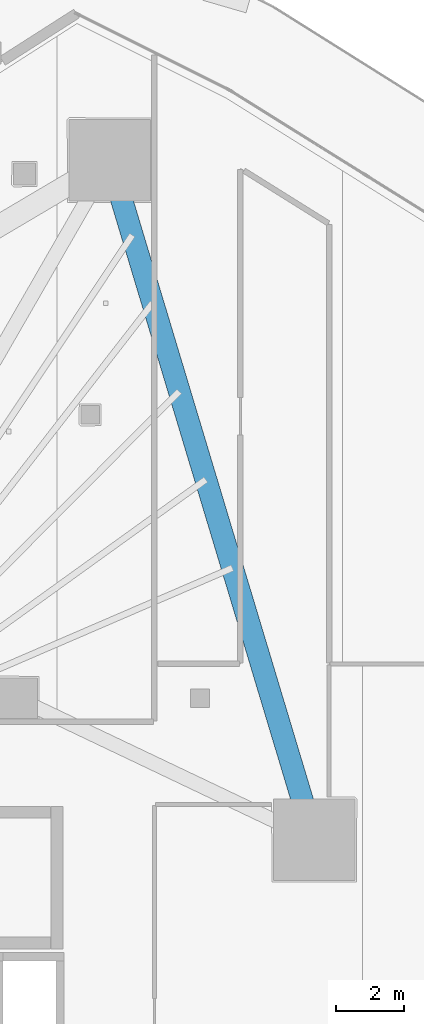
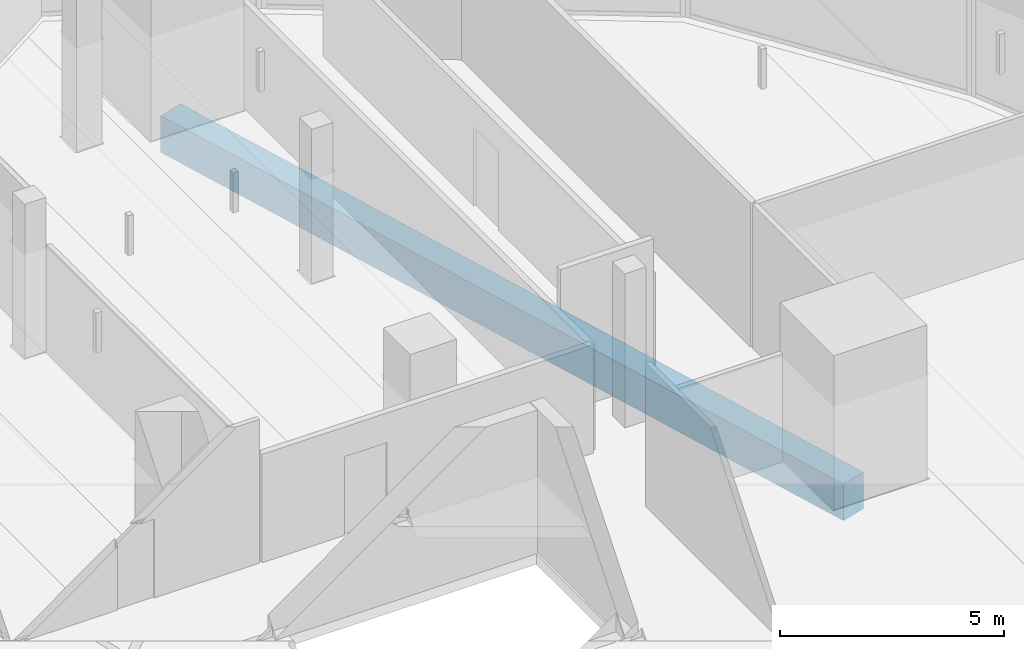
# One storey, part 23 of 45: 1 beam.
"""IFC4 building model written with IfcOpenShell, lengths in metres."""

from ifc_helpers import new_model, si_unit, direction, frame, origin, origin_2d, place, context, subcontext, project, spatial, rectangle, extrude, material, material_profile, profile_set, type_object, element, save


model = new_model("IFC4")

# Units and contexts
model_context = context("Model", 3, precision=1e-05, world=origin(), true_north=direction((0.0, 1.0)))
body_context = subcontext(model_context, "Body", "Model", "MODEL_VIEW")
ifc_project = project(units=[si_unit("LENGTHUNIT", "METRE"), si_unit("AREAUNIT", "SQUARE_METRE"), si_unit("VOLUMEUNIT", "CUBIC_METRE"), si_unit("PLANEANGLEUNIT", "RADIAN"), si_unit("MASSUNIT", "GRAM", prefix="KILO")], contexts=[model_context])

# Site, building, storey
site_placement = place(None, origin())
site = spatial("IfcSite", under=ifc_project, at=site_placement, CompositionType="ELEMENT")
building_placement = place(site_placement, origin())
building = spatial("IfcBuilding", under=site, at=building_placement, Name="Qorvath Tower", CompositionType="ELEMENT")
storey_placement = place(building_placement, frame((0.0, 0.0, 91.199951171875)))
storey = spatial("IfcBuildingStorey", under=building, at=storey_placement, Name="L20", CompositionType="ELEMENT", Elevation=91.199951171875)

# Beam
ifc_material = material(Name="Concrete C50/60", Category="concrete")
ifc_material_profile = material_profile(ifc_material, rectangle(XDim=0.64990234375, YDim=1.0, at=origin_2d()), Name="RCB 1000x650")
ifc_profile_set = profile_set([ifc_material_profile], Name="Concrete C50/60")
beam_type = type_object("IfcBeamType", Name="BM-RCB1", PredefinedType="SPANDREL", material=ifc_profile_set)
beam_placement = place(storey_placement, frame((-8.430419921875, 7.2763671875, -0.780029296875), z_axis=(-0.288118908799, 0.957594639914, 0.0), x_axis=(-0.957594639914, -0.288118908799, 0.0)))
element("IfcBeam", 1, at=beam_placement, inside=storey, type_object=beam_type, Name="Perimeter Loggia Frame Beam MC5-MC6 L20", PredefinedType="SPANDREL", context=body_context, shape_type="SweptSolid", body=[
    extrude(rectangle(XDim=0.64990234375, YDim=1.0, at=origin_2d()), origin(), (0.0, 0.0, 1.0), 20.942626953125),
])

save(model, "model.ifc")
